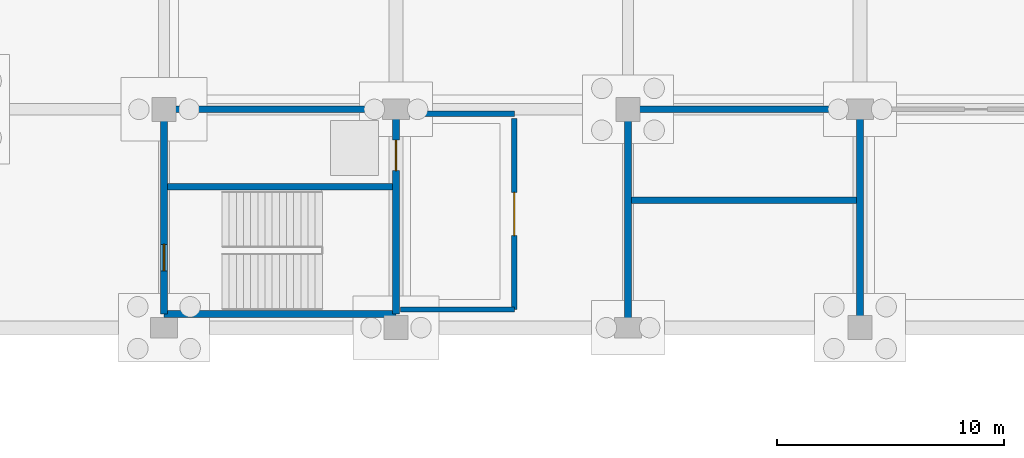
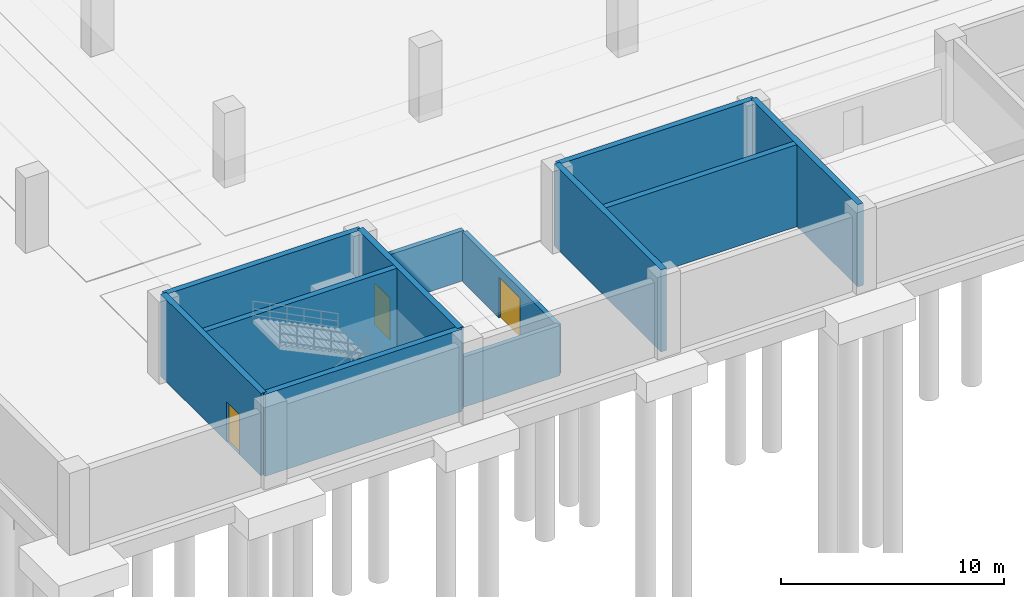
# One storey, part 27 of 52: 12 walls, 3 doors, 3 openings.
"""IFC4 building model written with IfcOpenShell, lengths in metres."""

from ifc_helpers import new_model, si_unit, direction, frame, frame_2d, origin, place, context, subcontext, project, spatial, rectangle, extrude, material, layer, layer_set, type_object, element, fill, save


model = new_model("IFC4")

# Units and contexts
model_context = context("Model", 3, precision=1e-05, world=origin(), true_north=direction((0.0, 1.0)))
body_context = subcontext(model_context, "Body", "Model", "MODEL_VIEW")
ifc_project = project(units=[si_unit("LENGTHUNIT", "METRE"), si_unit("AREAUNIT", "SQUARE_METRE"), si_unit("VOLUMEUNIT", "CUBIC_METRE"), si_unit("PLANEANGLEUNIT", "RADIAN"), si_unit("MASSUNIT", "GRAM", prefix="KILO")], contexts=[model_context])

# Site, building, storey
site_placement = place(None, origin())
site = spatial("IfcSite", under=ifc_project, at=site_placement, CompositionType="ELEMENT")
building_placement = place(site_placement, origin())
building = spatial("IfcBuilding", under=site, at=building_placement, Name="Brelvane Convention Centre", CompositionType="ELEMENT")
storey_placement = place(building_placement, frame((0.0, 0.0, -4.5)))
storey = spatial("IfcBuildingStorey", under=building, at=storey_placement, Name="B1", CompositionType="ELEMENT", Elevation=-4.5)

# Wall, opening, door
ifc_material_1 = material(Name="Concrete M40", Category="concrete")
ifc_layer_1 = layer(ifc_material_1, 0.239990234375)
ifc_layer_set_1 = layer_set([ifc_layer_1], Name="Concrete M40")
wall_type_1 = type_object("IfcWallType", Name="Interior Wall IW-FR-240", PredefinedType="PARTITIONING", material=ifc_layer_set_1)
wall_1_placement = place(storey_placement, frame((25.60009765625, 20.0, 0.0), z_axis=(0.0, 0.0, 1.0), x_axis=(0.0, 1.0, 0.0)))
wall_1 = element("IfcWall", 1, at=wall_1_placement, inside=storey, type_object=wall_type_1, Name="Firefighting Lobby C1 Wall E (B1)", PredefinedType="PARTITIONING", context=body_context, shape_type="SweptSolid", body=[
    extrude(rectangle(XDim=8.39990234375, YDim=0.239990234375, at=frame_2d((4.199951171875, 0.0))), origin(), (0.0, 0.0, 1.0), 2.75),
])
opening_1_placement = place(wall_1_placement, frame((3.25, 0.0, 0.0)))
opening_1 = element("IfcOpeningElement", 2, at=opening_1_placement, cuts=wall_1, Name="Opening DR-FL-01", PredefinedType="OPENING", context=body_context, shape_type="SweptSolid", body=[
    extrude(rectangle(XDim=1.89990234375, YDim=2.25, at=frame_2d((0.949951171875, 1.125))), frame((0.0, 0.1298828125, 0.0), z_axis=(0.0, -1.0, 0.0), x_axis=(1.0, 0.0, 0.0)), (0.0, 0.0, 1.0), 0.260009765625),
])
ifc_material_2 = material(Name="Galvanised Hollow-Metal Fire Door Steel E250", Category="steel")
door_type_1 = type_object("IfcDoorType", Name="Interior Door DR-FL-01", OperationType="NOTDEFINED", PredefinedType="DOOR", material=ifc_material_2)
door_1_placement = place(opening_1_placement, origin())
door_1 = element("IfcDoor", 3, at=door_1_placement, inside=storey, type_object=door_type_1, Name="Firefighting Lobby C1 Smoke Door (B1)", OperationType="DOUBLE_DOOR_SINGLE_SWING", OverallHeight=2.25, OverallWidth=1.89990234375, PredefinedType="DOOR", context=body_context, shape_type="SweptSolid", body=[
    extrude(rectangle(XDim=1.89990234375, YDim=2.25, at=frame_2d((0.949951171875, 1.125))), frame((0.0, 0.02490234375, 0.0), z_axis=(0.0, -1.0, 0.0), x_axis=(1.0, 0.0, 0.0)), (0.0, 0.0, 1.0), 0.050048828125),
])
fill(opening_1, door_1)

# Walls
for number, where, z_axis, x_axis, name in (
    (4, (20.60009765625, 28.60009765625, 0.0), (0.0, 0.0, 1.0), (1.0, 0.0, 0.0), "Firefighting Lobby C1 Wall N (B1)"),
    (5, (20.60009765625, 20.0, 0.0), (0.0, 0.0, 1.0), (1.0, 0.0, 0.0), "Firefighting Lobby C1 Wall S (B1)"),
):
    element("IfcWall", number, at=place(storey_placement, frame(where, z_axis=z_axis, x_axis=x_axis)), inside=storey, type_object=wall_type_1, Name=name, PredefinedType="PARTITIONING", context=body_context, shape_type="SweptSolid", body=[
        extrude(rectangle(XDim=5.0, YDim=0.239990234375, at=frame_2d((2.5, 0.0))), origin(), (0.0, 0.0, 1.0), 2.75),
    ])
ifc_material_3 = material(Name="Concrete M50", Category="concrete")
ifc_layer_2 = layer(ifc_material_3, 0.300048828125)
ifc_layer_set_2 = layer_set([ifc_layer_2], Name="Concrete M50")
wall_type_2 = type_object("IfcWallType", Name="Structural Wall WL-CORE-300", PredefinedType="SHEAR", material=ifc_layer_set_2)
for number, where, z_axis, x_axis, name in (
    (6, (10.199951171875, 19.800048828125, 0.0), (0.0, 0.0, 1.0), (1.0, 0.0, 0.0), "Core C1 Shear Wall S (B1)"),
    (7, (10.199951171875, 28.800048828125, 0.0), (0.0, 0.0, 1.0), (1.0, 0.0, 0.0), "Core C1 Shear Wall N (B1)"),
):
    element("IfcWall", number, at=place(storey_placement, frame(where, z_axis=z_axis, x_axis=x_axis)), inside=storey, type_object=wall_type_2, Name=name, PredefinedType="SHEAR", context=body_context, shape_type="SweptSolid", body=[
        extrude(rectangle(XDim=10.199951171875, YDim=0.300048828125, at=frame_2d((5.10009765625, 0.0))), origin(), (0.0, 0.0, 1.0), 4.5),
    ])

# Wall, opening, door
wall_2_placement = place(storey_placement, frame((10.199951171875, 19.800048828125, 0.0), z_axis=(0.0, 0.0, 1.0), x_axis=(0.0, 1.0, 0.0)))
wall_2 = element("IfcWall", 8, at=wall_2_placement, inside=storey, type_object=wall_type_2, Name="Core C1 Shear Wall W (B1)", PredefinedType="SHEAR", context=body_context, shape_type="SweptSolid", body=[
    extrude(rectangle(XDim=9.0, YDim=0.300048828125, at=frame_2d((4.5, 0.0))), origin(), (0.0, 0.0, 1.0), 4.5),
])
opening_2_placement = place(wall_2_placement, frame((1.89990234375, 0.0, 0.0)))
opening_2 = element("IfcOpeningElement", 9, at=opening_2_placement, cuts=wall_2, Name="Opening DR-IN-04L", PredefinedType="OPENING", context=body_context, shape_type="SweptSolid", body=[
    extrude(rectangle(XDim=1.159912109375, YDim=2.199951171875, at=frame_2d((0.580078125, 1.10009765625))), frame((0.0, 0.159912109375, 0.0), z_axis=(0.0, -1.0, 0.0), x_axis=(1.0, 0.0, 0.0)), (0.0, 0.0, 1.0), 0.320068359375),
])
ifc_material_4 = material(Name="Galvanised Hollow-Metal Fire Door Steel E250", Category="steel")
door_type_2 = type_object("IfcDoorType", Name="Interior Door DR-IN-04L", OperationType="NOTDEFINED", PredefinedType="DOOR", material=ifc_material_4)
door_2_placement = place(opening_2_placement, origin())
door_2 = element("IfcDoor", 10, at=door_2_placement, inside=storey, type_object=door_type_2, Name="Stair ST-01 Exit Door (B1)", OperationType="SINGLE_SWING_LEFT", OverallHeight=2.199951171875, OverallWidth=1.159912109375, PredefinedType="DOOR", context=body_context, shape_type="SweptSolid", body=[
    extrude(rectangle(XDim=1.159912109375, YDim=2.199951171875, at=frame_2d((0.580078125, 1.10009765625))), frame((0.0, 0.02490234375, 0.0), z_axis=(0.0, -1.0, 0.0), x_axis=(1.0, 0.0, 0.0)), (0.0, 0.0, 1.0), 0.050048828125),
])
fill(opening_2, door_2)

wall_3_placement = place(storey_placement, frame((20.39990234375, 19.800048828125, 0.0), z_axis=(0.0, 0.0, 1.0), x_axis=(0.0, 1.0, 0.0)))
wall_3 = element("IfcWall", 11, at=wall_3_placement, inside=storey, type_object=wall_type_2, Name="Core C1 Shear Wall E (B1)", PredefinedType="SHEAR", context=body_context, shape_type="SweptSolid", body=[
    extrude(rectangle(XDim=9.0, YDim=0.300048828125, at=frame_2d((4.5, 0.0))), origin(), (0.0, 0.0, 1.0), 4.5),
])
opening_3_placement = place(wall_3_placement, frame((6.300048828125, 0.0, 0.0)))
opening_3 = element("IfcOpeningElement", 12, at=opening_3_placement, cuts=wall_3, Name="Opening LD-03", PredefinedType="OPENING", context=body_context, shape_type="SweptSolid", body=[
    extrude(rectangle(XDim=1.35009765625, YDim=2.300048828125, at=frame_2d((0.675048828125, 1.14990234375))), frame((0.0, 0.159912109375, 0.0), z_axis=(0.0, -1.0, 0.0), x_axis=(1.0, 0.0, 0.0)), (0.0, 0.0, 1.0), 0.320068359375),
])
ifc_material_5 = material(Name="Galvanised Hollow-Metal Fire Door Steel E250", Category="steel")
door_type_3 = type_object("IfcDoorType", Name="Interior Door LD-03", OperationType="NOTDEFINED", PredefinedType="DOOR", material=ifc_material_5)
door_3_placement = place(opening_3_placement, origin())
door_3 = element("IfcDoor", 13, at=door_3_placement, inside=storey, type_object=door_type_3, Name="Lift LF-01 Landing Door (B1)", OperationType="DOUBLE_DOOR_SLIDING", OverallHeight=2.300048828125, OverallWidth=1.35009765625, PredefinedType="DOOR", context=body_context, shape_type="SweptSolid", body=[
    extrude(rectangle(XDim=1.35009765625, YDim=2.300048828125, at=frame_2d((0.675048828125, 1.14990234375))), frame((0.0, 0.02490234375, 0.0), z_axis=(0.0, -1.0, 0.0), x_axis=(1.0, 0.0, 0.0)), (0.0, 0.0, 1.0), 0.050048828125),
])
fill(opening_3, door_3)

# Walls
wall_4_placement = place(storey_placement, frame((10.35009765625, 25.39990234375, 0.0), z_axis=(0.0, 0.0, 1.0), x_axis=(1.0, 0.0, 0.0)))
element("IfcWall", 14, at=wall_4_placement, inside=storey, type_object=wall_type_2, Name="Core C1 Shaft Divider Wall (B1)", PredefinedType="SHEAR", context=body_context, shape_type="SweptSolid", body=[
    extrude(rectangle(XDim=9.89990234375, YDim=0.300048828125, at=frame_2d((4.949951171875, 0.0))), origin(), (0.0, 0.0, 1.0), 4.5),
])
wall_5_placement = place(storey_placement, frame((30.60009765625, 28.800048828125, 0.0), z_axis=(0.0, 0.0, 1.0), x_axis=(1.0, 0.0, 0.0)))
element("IfcWall", 15, at=wall_5_placement, inside=storey, type_object=wall_type_2, Name="Stair Core ST-19 Wall N (B1)", PredefinedType="SHEAR", context=body_context, shape_type="SweptSolid", body=[
    extrude(rectangle(XDim=10.199951171875, YDim=0.300048828125, at=frame_2d((5.10009765625, 0.0))), origin(), (0.0, 0.0, 1.0), 4.5),
])
for number, where, z_axis, x_axis, name in (
    (16, (30.60009765625, 19.199951171875, 0.0), (0.0, 0.0, 1.0), (0.0, 1.0, 0.0), "Stair Core ST-19 Wall W (B1)"),
    (17, (40.800048828125, 19.199951171875, 0.0), (0.0, 0.0, 1.0), (0.0, 1.0, 0.0), "Stair Core ST-19 Wall E (B1)"),
):
    element("IfcWall", number, at=place(storey_placement, frame(where, z_axis=z_axis, x_axis=x_axis)), inside=storey, type_object=wall_type_2, Name=name, PredefinedType="SHEAR", context=body_context, shape_type="SweptSolid", body=[
        extrude(rectangle(XDim=9.60009765625, YDim=0.300048828125, at=frame_2d((4.800048828125, 0.0))), origin(), (0.0, 0.0, 1.0), 4.5),
    ])
wall_6_placement = place(storey_placement, frame((30.75, 24.800048828125, 0.0), z_axis=(0.0, 0.0, 1.0), x_axis=(1.0, 0.0, 0.0)))
element("IfcWall", 18, at=wall_6_placement, inside=storey, type_object=wall_type_2, Name="Stair Core ST-19 Well Wall (B1)", PredefinedType="SHEAR", context=body_context, shape_type="SweptSolid", body=[
    extrude(rectangle(XDim=9.89990234375, YDim=0.300048828125, at=frame_2d((4.949951171875, 0.0))), origin(), (0.0, 0.0, 1.0), 4.5),
])

save(model, "model.ifc")
